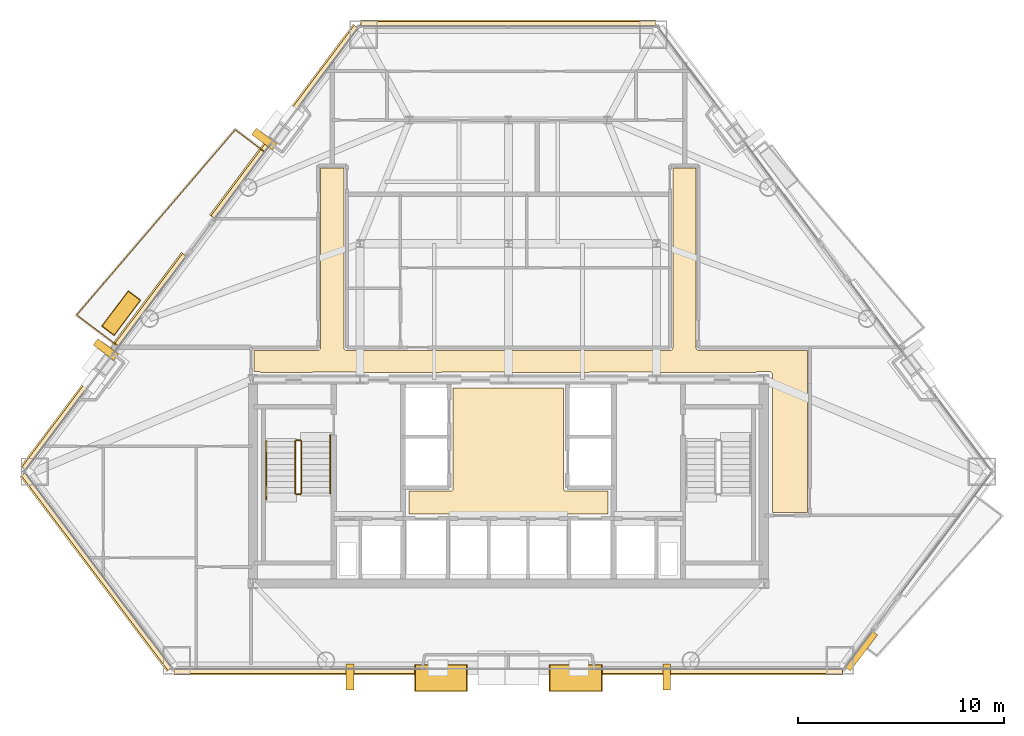
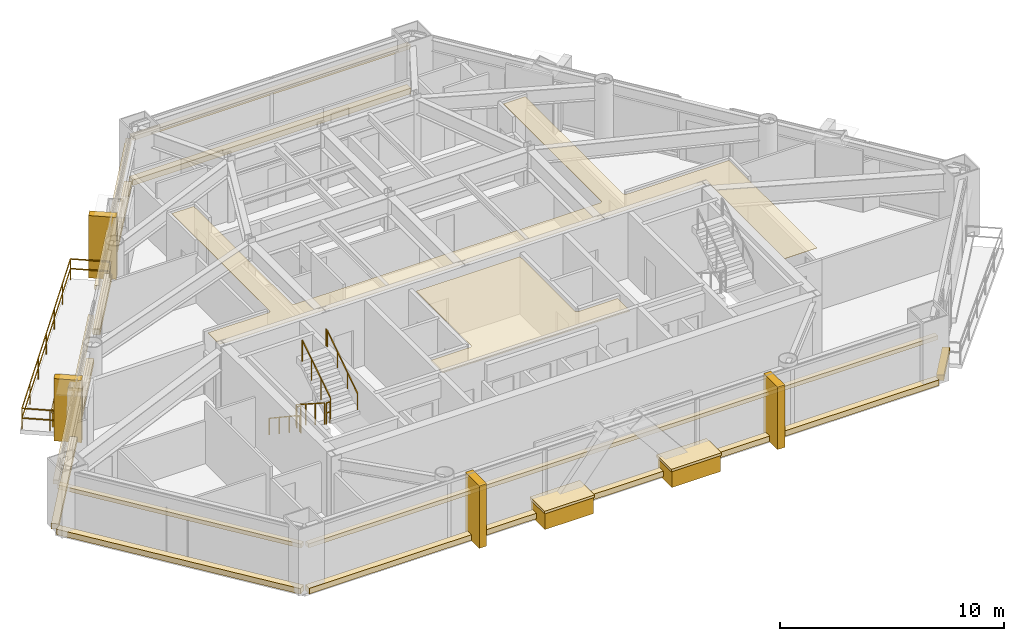
# One storey, part 10 of 11: 23 coverings, 7 railings.
"""IFC4 building model written with IfcOpenShell, lengths in metres."""

from ifc_helpers import new_model, si_unit, direction, frame, origin, origin_2d, place, context, subcontext, project, spatial, polyline, rectangle, outline, extrude, material, layer, layer_set, type_object, element, save


model = new_model("IFC4")

# Units and contexts
model_context = context("Model", 3, precision=1e-05, world=origin(), true_north=direction((0.0, 1.0)))
body_context = subcontext(model_context, "Body", "Model", "MODEL_VIEW")
ifc_project = project(units=[si_unit("LENGTHUNIT", "METRE"), si_unit("AREAUNIT", "SQUARE_METRE"), si_unit("VOLUMEUNIT", "CUBIC_METRE"), si_unit("PLANEANGLEUNIT", "RADIAN"), si_unit("MASSUNIT", "GRAM", prefix="KILO")], contexts=[model_context])

# Site, building, storey
site_placement = place(None, origin())
site = spatial("IfcSite", under=ifc_project, at=site_placement, CompositionType="ELEMENT")
building_placement = place(site_placement, origin())
building = spatial("IfcBuilding", under=site, at=building_placement, Name="Talgorran Terracotta Tower", CompositionType="ELEMENT")
storey_placement = place(building_placement, frame((0.0, 0.0, 72.0)))
storey = spatial("IfcBuildingStorey", under=building, at=storey_placement, Name="L18", CompositionType="ELEMENT", Elevation=72.0)

# Coverings
ifc_material_1 = material(Name="Kiln-Fired Terracotta Ochre Ceramic", Category="masonry")
ifc_layer_1 = layer(ifc_material_1, 0.179931640625, Name="COV_BAGUETTE_TERRACOTTA_SCREEN")
ifc_layer_set_1 = layer_set([ifc_layer_1], Name="Kiln-Fired Terracotta Ochre Ceramic")
covering_type_1 = type_object("IfcCoveringType", Name="COV_BAGUETTE_TERRACOTTA_SCREEN", PredefinedType="CLADDING", material=ifc_layer_set_1)
covering_1_placement = place(storey_placement, frame((-19.98388671875, -13.52001953125, 2.41015625), z_axis=(0.0, 0.0, 1.0), x_axis=(0.601243377531, -0.799065955334, 0.0)))
element("IfcCovering", 1, at=covering_1_placement, inside=storey, type_object=covering_type_1, Name="L18 Terracotta Baguette Solar Screen Assembly F0", PredefinedType="CLADDING", context=body_context, shape_type="SweptSolid", body=[
    extrude(rectangle(XDim=11.84130859375, YDim=0.260009765625, at=origin_2d()), origin(), (0.0, 0.0, 1.0), 0.219970703125),
])
covering_2_placement = place(storey_placement, frame((0.0, -18.3466796875, 2.41015625), z_axis=(0.0, 0.0, 1.0), x_axis=(1.0, 0.0, 0.0)))
element("IfcCovering", 2, at=covering_2_placement, inside=storey, type_object=covering_type_1, Name="L18 Terracotta Baguette Solar Screen Assembly F1", PredefinedType="CLADDING", context=body_context, shape_type="SweptSolid", body=[
    extrude(rectangle(XDim=32.464111328125, YDim=0.260009765625, at=origin_2d()), origin(), (0.0, 0.0, 1.0), 0.219970703125),
])
covering_3_placement = place(storey_placement, frame((0.0, 13.052734375, 2.41015625), z_axis=(0.0, 0.0, 1.0), x_axis=(-1.0, 0.0, 0.0)))
element("IfcCovering", 3, at=covering_3_placement, inside=storey, type_object=covering_type_1, Name="L18 Terracotta Baguette Solar Screen Assembly F4", PredefinedType="CLADDING", context=body_context, shape_type="SweptSolid", body=[
    extrude(rectangle(XDim=14.328125, YDim=0.260009765625, at=origin_2d()), origin(), (0.0, 0.0, 1.0), 0.219970703125),
])
covering_4_placement = place(storey_placement, frame((-10.85791015625, 8.302734375, 2.41015625), z_axis=(0.0, 0.0, 1.0), x_axis=(-0.601243377531, -0.799065955334, 0.0)))
element("IfcCovering", 4, at=covering_4_placement, inside=storey, type_object=covering_type_1, Name="L18 Terracotta Baguette Solar Screen Assembly F60", PredefinedType="CLADDING", context=body_context, shape_type="SweptSolid", body=[
    extrude(rectangle(XDim=11.56884765625, YDim=0.260009765625, at=origin_2d()), origin(), (0.0, 0.0, 1.0), 0.219970703125),
])
covering_5_placement = place(storey_placement, frame((-19.619140625, -3.341064453125, 2.41015625), z_axis=(0.0, 0.0, 1.0), x_axis=(-0.601243377531, -0.799065955334, 0.0)))
element("IfcCovering", 5, at=covering_5_placement, inside=storey, type_object=covering_type_1, Name="L18 Terracotta Baguette Solar Screen Assembly F61", PredefinedType="CLADDING", context=body_context, shape_type="SweptSolid", body=[
    extrude(rectangle(XDim=12.974609375, YDim=0.260009765625, at=origin_2d()), origin(), (0.0, 0.0, 1.0), 0.219970703125),
])
ifc_material_2 = material(Name="Mineral Fibre Acoustic Tile")
ifc_layer_2 = layer(ifc_material_2, 0.02490234375, Name="COV_CEIL_ACOUSTIC")
ifc_layer_set_2 = layer_set([ifc_layer_2], Name="Mineral Fibre Acoustic Tile")
covering_type_2 = type_object("IfcCoveringType", Name="COV_CEIL_ACOUSTIC", PredefinedType="CEILING", material=ifc_layer_set_2)
covering_6_placement = place(storey_placement, frame((0.0, 0.0, 3.260009765625)))
element("IfcCovering", 6, at=covering_6_placement, inside=storey, type_object=covering_type_2, Name="CEIL-L18-2", PredefinedType="CEILING", context=body_context, shape_type="SweptSolid", body=[
    extrude(outline(polyline([(-12.034423828125, -3.844970703125), (-12.03515625, -3.843994140625), (-12.0439453125, -3.836181640625), (-12.05322265625, -3.8291015625), (-12.0634765625, -3.8232421875), (-12.07421875, -3.818115234375), (-12.085205078125, -3.814208984375), (-12.0966796875, -3.811279296875), (-12.108154296875, -3.8095703125), (-12.1201171875, -3.80908203125), (-12.364990234375, -3.80908203125), (-12.364990234375, -2.784912109375), (-9.25, -2.784912109375), (-9.23828125, -2.784423828125), (-9.226806640625, -2.78271484375), (-9.21533203125, -2.77978515625), (-9.20703125, -2.77734375), (-9.196044921875, -2.7734375), (-9.185302734375, -2.768310546875), (-9.17529296875, -2.762451171875), (-9.165771484375, -2.75537109375), (-9.156982421875, -2.74755859375), (-9.149169921875, -2.73876953125), (-9.1435546875, -2.73193359375), (-9.136474609375, -2.722412109375), (-9.13037109375, -2.71240234375), (-9.125244140625, -2.70166015625), (-9.121337890625, -2.690673828125), (-9.118408203125, -2.67919921875), (-9.11669921875, -2.66748046875), (-9.1162109375, -2.65576171875), (-9.114990234375, 6.06494140625), (-7.985107421875, 6.06494140625), (-7.985107421875, -2.64990234375), (-7.984375, -2.66162109375), (-7.982666015625, -2.67333984375), (-7.97998046875, -2.6845703125), (-7.977294921875, -2.69287109375), (-7.973388671875, -2.7041015625), (-7.968505859375, -2.714599609375), (-7.96240234375, -2.724853515625), (-7.955322265625, -2.734375), (-7.947509765625, -2.742919921875), (-7.938720703125, -2.7509765625), (-7.931884765625, -2.756591796875), (-7.922607421875, -2.763671875), (-7.912353515625, -2.769775390625), (-7.901611328125, -2.774658203125), (-7.890625, -2.77880859375), (-7.879150390625, -2.781494140625), (-7.867431640625, -2.783203125), (-7.855712890625, -2.783935546875), (7.85009765625, -2.784912109375), (7.86181640625, -2.784423828125), (7.873291015625, -2.78271484375), (7.884521484375, -2.77978515625), (7.892822265625, -2.77734375), (7.904052734375, -2.7734375), (7.914794921875, -2.768310546875), (7.9248046875, -2.762451171875), (7.934326171875, -2.75537109375), (7.943115234375, -2.74755859375), (7.950927734375, -2.73876953125), (7.95654296875, -2.73193359375), (7.963623046875, -2.722412109375), (7.9697265625, -2.71240234375), (7.974609375, -2.70166015625), (7.978759765625, -2.690673828125), (7.981689453125, -2.67919921875), (7.9833984375, -2.66748046875), (7.98388671875, -2.65576171875), (7.985107421875, 6.06494140625), (9.114990234375, 6.06494140625), (9.114990234375, -2.64990234375), (9.115478515625, -2.66162109375), (9.1171875, -2.67333984375), (9.1201171875, -2.6845703125), (9.12255859375, -2.69287109375), (9.12646484375, -2.7041015625), (9.131591796875, -2.714599609375), (9.1376953125, -2.724853515625), (9.14453125, -2.734375), (9.152587890625, -2.742919921875), (9.1611328125, -2.7509765625), (9.16796875, -2.756591796875), (9.177490234375, -2.763671875), (9.1875, -2.769775390625), (9.1982421875, -2.774658203125), (9.20947265625, -2.77880859375), (9.220703125, -2.781494140625), (9.232421875, -2.783203125), (9.244384765625, -2.783935546875), (14.514892578125, -2.784912109375), (14.514892578125, -10.6650390625), (12.8349609375, -10.6650390625), (12.834716796875, -3.97705078125), (12.833984375, -3.96533203125), (12.83251953125, -3.953857421875), (12.82958984375, -3.9423828125), (12.82568359375, -3.931396484375), (12.820556640625, -3.920654296875), (12.81640625, -3.9130859375), (12.810302734375, -3.90283203125), (12.803466796875, -3.893310546875), (12.79541015625, -3.884521484375), (12.78857421875, -3.87841796875), (12.785888671875, -3.872314453125), (12.77978515625, -3.8623046875), (12.772705078125, -3.852783203125), (12.764892578125, -3.843994140625), (12.756103515625, -3.836181640625), (12.74658203125, -3.8291015625), (12.736572265625, -3.8232421875), (12.725830078125, -3.818115234375), (12.71484375, -3.814208984375), (12.703369140625, -3.811279296875), (12.69189453125, -3.8095703125), (12.679931640625, -3.80908203125), (12.1201171875, -3.80908203125), (12.108154296875, -3.8095703125), (12.0966796875, -3.811279296875), (12.085205078125, -3.814208984375), (12.07421875, -3.818115234375), (12.0634765625, -3.8232421875), (12.05322265625, -3.8291015625), (12.0439453125, -3.836181640625), (12.03515625, -3.843994140625), (12.034423828125, -3.844970703125), (7.432861328125, -3.844970703125), (6.968017578125, -3.843017578125), (6.967529296875, -3.843017578125), (0.232666015625, -3.844970703125), (-0.23193359375, -3.843017578125), (-0.232421875, -3.843017578125), (-6.96728515625, -3.844970703125), (-7.431884765625, -3.843017578125), (-7.4326171875, -3.843017578125), (-12.034423828125, -3.844970703125)])), origin(), (0.0, 0.0, 1.0), 0.02001953125),
])
ifc_material_3 = material(Name="Flush Moisture-Resistant Plaster")
ifc_layer_3 = layer(ifc_material_3, 0.01806640625, Name="COV_CEIL_PLASTER")
ifc_layer_set_3 = layer_set([ifc_layer_3], Name="Flush Moisture-Resistant Plaster")
covering_type_3 = type_object("IfcCoveringType", Name="COV_CEIL_PLASTER", PredefinedType="CEILING", material=ifc_layer_set_3)
covering_7_placement = place(storey_placement, frame((0.0, 0.0, 3.260009765625)))
element("IfcCovering", 7, at=covering_7_placement, inside=storey, type_object=covering_type_3, Name="CEIL-L18-1", PredefinedType="CEILING", context=body_context, shape_type="SweptSolid", body=[
    extrude(outline(polyline([(-4.830078125, -9.6201171875), (-2.800048828125, -9.6201171875), (-2.7880859375, -9.619384765625), (-2.776611328125, -9.61767578125), (-2.76513671875, -9.61474609375), (-2.754150390625, -9.61083984375), (-2.743408203125, -9.605712890625), (-2.7333984375, -9.599853515625), (-2.723876953125, -9.5927734375), (-2.715087890625, -9.5849609375), (-2.707275390625, -9.576171875), (-2.7001953125, -9.566650390625), (-2.694091796875, -9.556640625), (-2.689208984375, -9.5458984375), (-2.685302734375, -9.534912109375), (-2.682373046875, -9.5234375), (-2.6806640625, -9.51171875), (-2.679931640625, -9.5), (-2.679931640625, -4.6201171875), (2.679931640625, -4.6201171875), (2.679931640625, -9.5), (2.6806640625, -9.51171875), (2.682373046875, -9.5234375), (2.685302734375, -9.534912109375), (2.689208984375, -9.5458984375), (2.694091796875, -9.556640625), (2.7001953125, -9.566650390625), (2.707275390625, -9.576171875), (2.715087890625, -9.5849609375), (2.723876953125, -9.5927734375), (2.7333984375, -9.599853515625), (2.743408203125, -9.605712890625), (2.754150390625, -9.61083984375), (2.76513671875, -9.61474609375), (2.776611328125, -9.61767578125), (2.7880859375, -9.619384765625), (2.800048828125, -9.6201171875), (4.830078125, -9.6201171875), (4.830078125, -10.72998046875), (-4.830078125, -10.72998046875), (-4.830078125, -9.6201171875)])), origin(), (0.0, 0.0, 1.0), 0.02001953125),
])
ifc_material_4 = material(Name="Honed Limestone and Terracotta Planter", Category="masonry")
ifc_layer_4 = layer(ifc_material_4, 0.1201171875, Name="COV_PLANTER_BOX")
ifc_layer_set_4 = layer_set([ifc_layer_4], Name="Honed Limestone and Terracotta Planter")
covering_type_4 = type_object("IfcCoveringType", Name="COV_PLANTER_BOX", PredefinedType="CLADDING", material=ifc_layer_set_4)
for number, where, z_axis, x_axis, name in (
    (8, (-3.2724609375, -18.686767578125, -0.179931640625), (0.0, 0.0, 1.0), (1.0, 0.0, 0.0), "L18 Staggered South Facade Planter Box 1"),
    (9, (3.2724609375, -18.686767578125, -0.179931640625), (0.0, 0.0, 1.0), (1.0, 0.0, 0.0), "L18 Staggered South Facade Planter Box 2"),
):
    element("IfcCovering", number, at=place(storey_placement, frame(where, z_axis=z_axis, x_axis=x_axis)), inside=storey, type_object=covering_type_4, Name=name, PredefinedType="CLADDING", context=body_context, shape_type="SweptSolid", body=[
        extrude(rectangle(XDim=2.5, YDim=1.25, at=origin_2d()), origin(), (0.0, 0.0, 1.0), 0.919921875),
    ])
covering_8_placement = place(storey_placement, frame((-18.80224609375, -0.974609375, -0.02001953125), z_axis=(0.0, 0.0, 1.0), x_axis=(-0.601243377531, -0.799065955334, 0.0)))
element("IfcCovering", 10, at=covering_8_placement, inside=storey, type_object=covering_type_4, Name="L18 Staggered Balcony Planter Box BAL-NW", PredefinedType="CLADDING", context=body_context, shape_type="SweptSolid", body=[
    extrude(rectangle(XDim=2.10009765625, YDim=0.719970703125, at=origin_2d()), origin(), (0.0, 0.0, 1.0), 0.860107421875),
])
ifc_material_5 = material(Name="Kiln-Fired Terracotta Planter Rim", Category="masonry")
ifc_layer_5 = layer(ifc_material_5, 0.10009765625, Name="COV_PLANTER_RIM")
ifc_layer_set_5 = layer_set([ifc_layer_5], Name="Kiln-Fired Terracotta Planter Rim")
covering_type_5 = type_object("IfcCoveringType", Name="COV_PLANTER_RIM", PredefinedType="CLADDING", material=ifc_layer_set_5)
for number, where, z_axis, x_axis, name in (
    (11, (-3.2724609375, -18.686767578125, 0.7099609375), (0.0, 0.0, 1.0), (1.0, 0.0, 0.0), "L18 South Planter Terracotta Rim 1"),
    (12, (3.2724609375, -18.686767578125, 0.7099609375), (0.0, 0.0, 1.0), (1.0, 0.0, 0.0), "L18 South Planter Terracotta Rim 2"),
):
    element("IfcCovering", number, at=place(storey_placement, frame(where, z_axis=z_axis, x_axis=x_axis)), inside=storey, type_object=covering_type_5, Name=name, PredefinedType="CLADDING", context=body_context, shape_type="SweptSolid", body=[
        extrude(rectangle(XDim=2.580078125, YDim=1.320068359375, at=origin_2d()), origin(), (0.0, 0.0, 1.0), 0.139892578125),
    ])
covering_9_placement = place(storey_placement, frame((-18.80224609375, -0.974609375, 0.800048828125), z_axis=(0.0, 0.0, 1.0), x_axis=(-0.601243377531, -0.799065955334, 0.0)))
element("IfcCovering", 13, at=covering_9_placement, inside=storey, type_object=covering_type_5, Name="L18 Balcony Planter Terracotta Rim BAL-NW", PredefinedType="CLADDING", context=body_context, shape_type="SweptSolid", body=[
    extrude(rectangle(XDim=2.179931640625, YDim=0.780029296875, at=origin_2d()), origin(), (0.0, 0.0, 1.0), 0.1201171875),
])
ifc_material_6 = material(Name="Honed Limestone Cladding", Category="masonry")
ifc_layer_6 = layer(ifc_material_6, 0.094970703125, Name="COV_PORTAL_LIME")
ifc_layer_set_6 = layer_set([ifc_layer_6], Name="Honed Limestone Cladding")
covering_type_6 = type_object("IfcCoveringType", Name="COV_PORTAL_LIME", PredefinedType="CLADDING", material=ifc_layer_set_6)
covering_10_placement = place(storey_placement, frame((-20.015869140625, -13.5439453125, -0.0400390625), z_axis=(0.0, 0.0, 1.0), x_axis=(0.601243377531, -0.799065955334, 0.0)))
element("IfcCovering", 14, at=covering_10_placement, inside=storey, type_object=covering_type_6, Name="L18 Striped Postmodern Portal Cladding Band F0", PredefinedType="CLADDING", context=body_context, shape_type="SweptSolid", body=[
    extrude(rectangle(XDim=11.861328125, YDim=0.340087890625, at=origin_2d()), origin(), (0.0, 0.0, 1.0), 0.300048828125),
])
covering_11_placement = place(storey_placement, frame((0.0, -18.38671875, -0.0400390625), z_axis=(0.0, 0.0, 1.0), x_axis=(1.0, 0.0, 0.0)))
element("IfcCovering", 15, at=covering_11_placement, inside=storey, type_object=covering_type_6, Name="L18 Striped Postmodern Portal Cladding Band F1", PredefinedType="CLADDING", context=body_context, shape_type="SweptSolid", body=[
    extrude(rectangle(XDim=32.484130859375, YDim=0.340087890625, at=origin_2d()), origin(), (0.0, 0.0, 1.0), 0.300048828125),
])
covering_12_placement = place(storey_placement, frame((17.133544921875, -17.37451171875, -0.0400390625), z_axis=(0.0, 0.0, 1.0), x_axis=(0.601257323772, 0.799055461536, 0.0)))
element("IfcCovering", 16, at=covering_12_placement, inside=storey, type_object=covering_type_6, Name="L18 Striped Postmodern Portal Cladding Band F30", PredefinedType="CLADDING", context=body_context, shape_type="SweptSolid", body=[
    extrude(rectangle(XDim=2.193603515625, YDim=0.340087890625, at=origin_2d()), origin(), (0.0, 0.0, 1.0), 0.300048828125),
])
covering_13_placement = place(storey_placement, frame((0.0, 13.0927734375, -0.0400390625), z_axis=(0.0, 0.0, 1.0), x_axis=(-1.0, 0.0, 0.0)))
element("IfcCovering", 17, at=covering_13_placement, inside=storey, type_object=covering_type_6, Name="L18 Striped Postmodern Portal Cladding Band F4", PredefinedType="CLADDING", context=body_context, shape_type="SweptSolid", body=[
    extrude(rectangle(XDim=14.34814453125, YDim=0.340087890625, at=origin_2d()), origin(), (0.0, 0.0, 1.0), 0.300048828125),
])
covering_14_placement = place(storey_placement, frame((-10.889892578125, 8.326904296875, -0.0400390625), z_axis=(0.0, 0.0, 1.0), x_axis=(-0.601243377531, -0.799065955334, 0.0)))
element("IfcCovering", 18, at=covering_14_placement, inside=storey, type_object=covering_type_6, Name="L18 Striped Postmodern Portal Cladding Band F60", PredefinedType="CLADDING", context=body_context, shape_type="SweptSolid", body=[
    extrude(rectangle(XDim=11.5888671875, YDim=0.340087890625, at=origin_2d()), origin(), (0.0, 0.0, 1.0), 0.300048828125),
])
covering_15_placement = place(storey_placement, frame((-19.651123046875, -3.31689453125, -0.0400390625), z_axis=(0.0, 0.0, 1.0), x_axis=(-0.601243377531, -0.799065955334, 0.0)))
element("IfcCovering", 19, at=covering_15_placement, inside=storey, type_object=covering_type_6, Name="L18 Striped Postmodern Portal Cladding Band F61", PredefinedType="CLADDING", context=body_context, shape_type="SweptSolid", body=[
    extrude(rectangle(XDim=12.99462890625, YDim=0.340087890625, at=origin_2d()), origin(), (0.0, 0.0, 1.0), 0.300048828125),
])
for number, where, z_axis, x_axis, name in (
    (20, (7.690185546875, -18.646728515625, -0.050048828125), (0.0, 0.0, 1.0), (1.0, 0.0, 0.0), "L18 White Striped Portal Fin F1-2"),
    (21, (-19.543701171875, -2.741943359375, -0.050048828125), (0.0, 0.0, 1.0), (-0.601243377531, -0.799065955334, 0.0), "L18 White Striped Portal Fin F5-2"),
):
    element("IfcCovering", number, at=place(storey_placement, frame(where, z_axis=z_axis, x_axis=x_axis)), inside=storey, type_object=covering_type_6, Name=name, PredefinedType="CLADDING", context=body_context, shape_type="SweptSolid", body=[
        extrude(rectangle(XDim=0.3798828125, YDim=1.25, at=origin_2d()), origin(), (0.0, 0.0, 1.0), 3.39990234375),
    ])
ifc_material_7 = material(Name="Kiln-Fired Terracotta Cladding", Category="masonry")
ifc_layer_7 = layer(ifc_material_7, 0.090087890625, Name="COV_PORTAL_TERRA")
ifc_layer_set_7 = layer_set([ifc_layer_7], Name="Kiln-Fired Terracotta Cladding")
covering_type_7 = type_object("IfcCoveringType", Name="COV_PORTAL_TERRA", PredefinedType="CLADDING", material=ifc_layer_set_7)
for number, where, z_axis, x_axis, name in (
    (22, (-7.690185546875, -18.646728515625, -0.050048828125), (0.0, 0.0, 1.0), (1.0, 0.0, 0.0), "L18 Terracotta Striped Portal Fin F1-1"),
    (23, (-11.853759765625, 7.478515625, -0.050048828125), (0.0, 0.0, 1.0), (-0.601243377531, -0.799065955334, 0.0), "L18 Terracotta Striped Portal Fin F5-1"),
):
    element("IfcCovering", number, at=place(storey_placement, frame(where, z_axis=z_axis, x_axis=x_axis)), inside=storey, type_object=covering_type_7, Name=name, PredefinedType="CLADDING", context=body_context, shape_type="SweptSolid", body=[
        extrude(rectangle(XDim=0.3798828125, YDim=1.25, at=origin_2d()), origin(), (0.0, 0.0, 1.0), 3.39990234375),
    ])

# Railings
ifc_material_8 = material(Name="Laminated Glass and Stainless Steel 316", Category="steel")
railing_type_1 = type_object("IfcRailingType", Name="RL_BALCONY_1150", PredefinedType="BALUSTRADE", material=ifc_material_8)
railing_1_placement = place(storey_placement, frame((-11.843505859375, 6.860107421875, 0.0)))
element("IfcRailing", 24, at=railing_1_placement, inside=storey, type_object=railing_type_1, Name="RL-L18-BAL-BAL-NW", PredefinedType="BALUSTRADE", context=body_context, shape_type="SweptSolid", body=[
    extrude(rectangle(XDim=0.048095703125, YDim=0.048095703125, at=origin_2d()), frame((0.0, 0.0, 1.1259765625), z_axis=(-0.799127230555, 0.601161932748, 0.0), x_axis=(-0.601161932748, -0.799127230555, 0.0)), (0.0, 0.0, 1.0), 1.78076171875),
    extrude(rectangle(XDim=0.048095703125, YDim=0.048095703125, at=origin_2d()), frame((0.0, 0.0, 0.597900390625), z_axis=(-0.799127230555, 0.601161932748, 0.0), x_axis=(-0.601161932748, -0.799127230555, 0.0)), (0.0, 0.0, 1.0), 1.78076171875),
    extrude(rectangle(XDim=0.048095703125, YDim=0.048095703125, at=origin_2d()), frame((-1.423095703125, 1.070556640625, 1.1259765625), z_axis=(-0.650045396855, -0.759895375712, 0.0), x_axis=(0.759895375712, -0.650045396855, 0.0)), (0.0, 0.0, 1.0), 11.8369140625),
    extrude(rectangle(XDim=0.048095703125, YDim=0.048095703125, at=origin_2d()), frame((-1.423095703125, 1.070556640625, 0.597900390625), z_axis=(-0.650045396855, -0.759895375712, 0.0), x_axis=(0.759895375712, -0.650045396855, 0.0)), (0.0, 0.0, 1.0), 11.8369140625),
    extrude(rectangle(XDim=0.048095703125, YDim=0.048095703125, at=origin_2d()), frame((-9.11767578125, -7.92431640625, 1.1259765625), z_axis=(0.799069438926, -0.601238747733, 0.0), x_axis=(0.601238747733, 0.799069438926, 0.0)), (0.0, 0.0, 1.0), 2.521240234375),
    extrude(rectangle(XDim=0.048095703125, YDim=0.048095703125, at=origin_2d()), frame((-9.11767578125, -7.92431640625, 0.597900390625), z_axis=(0.799069438926, -0.601238747733, 0.0), x_axis=(0.601238747733, 0.799069438926, 0.0)), (0.0, 0.0, 1.0), 2.521240234375),
    extrude(rectangle(XDim=0.0419921875, YDim=0.0419921875, at=origin_2d()), origin(), (0.0, 0.0, 1.0), 1.101806640625),
    extrude(rectangle(XDim=0.0419921875, YDim=0.0419921875, at=origin_2d()), frame((-1.423095703125, 1.070556640625, 0.0)), (0.0, 0.0, 1.0), 1.101806640625),
    extrude(rectangle(XDim=0.0419921875, YDim=0.0419921875, at=origin_2d()), frame((-2.70556640625, -0.4287109375, 0.0)), (0.0, 0.0, 1.0), 1.101806640625),
    extrude(rectangle(XDim=0.0419921875, YDim=0.0419921875, at=origin_2d()), frame((-3.988037109375, -1.927734375, 0.0)), (0.0, 0.0, 1.0), 1.101806640625),
    extrude(rectangle(XDim=0.0419921875, YDim=0.0419921875, at=origin_2d()), frame((-5.2705078125, -3.4267578125, 0.0)), (0.0, 0.0, 1.0), 1.101806640625),
    extrude(rectangle(XDim=0.0419921875, YDim=0.0419921875, at=origin_2d()), frame((-6.552734375, -4.926025390625, 0.0)), (0.0, 0.0, 1.0), 1.101806640625),
    extrude(rectangle(XDim=0.0419921875, YDim=0.0419921875, at=origin_2d()), frame((-7.835205078125, -6.42529296875, 0.0)), (0.0, 0.0, 1.0), 1.101806640625),
    extrude(rectangle(XDim=0.0419921875, YDim=0.0419921875, at=origin_2d()), frame((-9.11767578125, -7.92431640625, 0.0)), (0.0, 0.0, 1.0), 1.101806640625),
    extrude(rectangle(XDim=0.0419921875, YDim=0.0419921875, at=origin_2d()), frame((-8.1103515625, -8.68212890625, 0.0)), (0.0, 0.0, 1.0), 1.101806640625),
    extrude(rectangle(XDim=0.0419921875, YDim=0.0419921875, at=origin_2d()), frame((-7.10302734375, -9.440185546875, 0.0)), (0.0, 0.0, 1.0), 1.101806640625),
])
ifc_material_9 = material(Name="Steel S355 (300PLUS)", Category="steel")
railing_type_2 = type_object("IfcRailingType", Name="RL_HANDRAIL_920", PredefinedType="HANDRAIL", material=ifc_material_9)
railing_2_placement = place(storey_placement, frame((-11.75, -7.199951171875, 0.179931640625)))
element("IfcRailing", 25, at=railing_2_placement, inside=storey, type_object=railing_type_2, Name="L18 ST-01 stair handrail 1", PredefinedType="HANDRAIL", context=body_context, shape_type="SweptSolid", body=[
    extrude(rectangle(XDim=0.048095703125, YDim=0.048095703125, at=origin_2d()), frame((0.0, 0.0, 0.89599609375), z_axis=(0.0, -0.832038719335, 0.554717558338), x_axis=(1.0, 0.0, 0.0)), (0.0, 0.0, 1.0), 3.244873046875),
    extrude(rectangle(XDim=0.048095703125, YDim=0.048095703125, at=origin_2d()), frame((0.0, -2.699951171875, 2.69580078125), z_axis=(0.0, -1.0, 0.0), x_axis=(1.0, 0.0, 0.0)), (0.0, 0.0, 1.0), 0.1201171875),
    extrude(rectangle(XDim=0.0419921875, YDim=0.0419921875, at=origin_2d()), origin(), (0.0, 0.0, 1.0), 0.871826171875),
    extrude(rectangle(XDim=0.0419921875, YDim=0.0419921875, at=origin_2d()), frame((0.0, -0.89990234375, 0.60009765625)), (0.0, 0.0, 1.0), 0.871826171875),
    extrude(rectangle(XDim=0.0419921875, YDim=0.0419921875, at=origin_2d()), frame((0.0, -1.800048828125, 1.199951171875)), (0.0, 0.0, 1.0), 0.871826171875),
    extrude(rectangle(XDim=0.0419921875, YDim=0.0419921875, at=origin_2d()), frame((0.0, -2.699951171875, 1.800048828125)), (0.0, 0.0, 1.0), 0.871826171875),
    extrude(rectangle(XDim=0.0419921875, YDim=0.0419921875, at=origin_2d()), frame((0.0, -2.820068359375, 1.800048828125)), (0.0, 0.0, 1.0), 0.871826171875),
])
railing_3_placement = place(storey_placement, frame((-8.64990234375, -9.719970703125, 1.97998046875)))
element("IfcRailing", 26, at=railing_3_placement, inside=storey, type_object=railing_type_2, Name="L18 ST-01 stair handrail 2", PredefinedType="HANDRAIL", context=body_context, shape_type="SweptSolid", body=[
    extrude(rectangle(XDim=0.048095703125, YDim=0.048095703125, at=origin_2d()), frame((0.0, 0.0, 0.89599609375), z_axis=(0.0, 0.832038719335, 0.554717558338), x_axis=(-1.0, 0.0, 0.0)), (0.0, 0.0, 1.0), 3.244873046875),
    extrude(rectangle(XDim=0.048095703125, YDim=0.048095703125, at=origin_2d()), frame((0.0, 2.699951171875, 2.69580078125), z_axis=(0.0, 1.0, 0.0), x_axis=(-1.0, 0.0, 0.0)), (0.0, 0.0, 1.0), 0.1201171875),
    extrude(rectangle(XDim=0.0419921875, YDim=0.0419921875, at=origin_2d()), origin(), (0.0, 0.0, 1.0), 0.871826171875),
    extrude(rectangle(XDim=0.0419921875, YDim=0.0419921875, at=origin_2d()), frame((0.0, 0.89990234375, 0.60009765625)), (0.0, 0.0, 1.0), 0.871826171875),
    extrude(rectangle(XDim=0.0419921875, YDim=0.0419921875, at=origin_2d()), frame((0.0, 1.800048828125, 1.199951171875)), (0.0, 0.0, 1.0), 0.871826171875),
    extrude(rectangle(XDim=0.0419921875, YDim=0.0419921875, at=origin_2d()), frame((0.0, 2.699951171875, 1.800048828125)), (0.0, 0.0, 1.0), 0.871826171875),
    extrude(rectangle(XDim=0.0419921875, YDim=0.0419921875, at=origin_2d()), frame((0.0, 2.820068359375, 1.800048828125)), (0.0, 0.0, 1.0), 0.871826171875),
])
railing_type_3 = type_object("IfcRailingType", Name="RL_STAIR_GUARD", PredefinedType="GUARDRAIL", material=ifc_material_9)
railing_4_placement = place(storey_placement, frame((-10.35009765625, -7.199951171875, 0.179931640625)))
element("IfcRailing", 27, at=railing_4_placement, inside=storey, type_object=railing_type_3, Name="L18 ST-01 stair guard 1", PredefinedType="GUARDRAIL", context=body_context, shape_type="SweptSolid", body=[
    extrude(rectangle(XDim=0.048095703125, YDim=0.048095703125, at=origin_2d()), frame((0.0, 0.0, 1.15576171875), z_axis=(0.0, -0.841162588446, 0.540782303519), x_axis=(1.0, 0.0, 0.0)), (0.0, 0.0, 1.0), 2.995849609375),
    extrude(rectangle(XDim=0.0419921875, YDim=0.0419921875, at=origin_2d()), origin(), (0.0, 0.0, 1.0), 1.1318359375),
    extrude(rectangle(XDim=0.0419921875, YDim=0.0419921875, at=origin_2d()), frame((0.0, -0.840087890625, 0.5400390625)), (0.0, 0.0, 1.0), 1.1318359375),
    extrude(rectangle(XDim=0.0419921875, YDim=0.0419921875, at=origin_2d()), frame((0.0, -1.679931640625, 1.080078125)), (0.0, 0.0, 1.0), 1.1318359375),
    extrude(rectangle(XDim=0.0419921875, YDim=0.0419921875, at=origin_2d()), frame((0.0, -2.52001953125, 1.6201171875)), (0.0, 0.0, 1.0), 1.1318359375),
])
railing_5_placement = place(storey_placement, frame((-10.300048828125, -9.77001953125, 1.800048828125)))
element("IfcRailing", 28, at=railing_5_placement, inside=storey, type_object=railing_type_3, Name="L18 ST-01 stair guard 2", PredefinedType="GUARDRAIL", context=body_context, shape_type="SweptSolid", body=[
    extrude(rectangle(XDim=0.048095703125, YDim=0.048095703125, at=origin_2d()), frame((0.0, 0.0, 1.15576171875), z_axis=(1.0, 0.0, 0.0), x_axis=(0.0, 1.0, 0.0)), (0.0, 0.0, 1.0), 0.199951171875),
    extrude(rectangle(XDim=0.048095703125, YDim=0.048095703125, at=origin_2d()), frame((0.0, 0.0, 0.613525390625), z_axis=(1.0, 0.0, 0.0), x_axis=(0.0, 1.0, 0.0)), (0.0, 0.0, 1.0), 0.199951171875),
    extrude(rectangle(XDim=0.0419921875, YDim=0.0419921875, at=origin_2d()), origin(), (0.0, 0.0, 1.0), 1.1318359375),
    extrude(rectangle(XDim=0.0419921875, YDim=0.0419921875, at=origin_2d()), frame((0.199951171875, 0.0, 0.0)), (0.0, 0.0, 1.0), 1.1318359375),
])
railing_6_placement = place(storey_placement, frame((-10.050048828125, -9.719970703125, 1.97998046875)))
element("IfcRailing", 29, at=railing_6_placement, inside=storey, type_object=railing_type_3, Name="L18 ST-01 stair guard 3", PredefinedType="GUARDRAIL", context=body_context, shape_type="SweptSolid", body=[
    extrude(rectangle(XDim=0.048095703125, YDim=0.048095703125, at=origin_2d()), frame((0.0, 0.0, 1.15576171875), z_axis=(0.0, 0.841162588446, 0.540782303519), x_axis=(-1.0, 0.0, 0.0)), (0.0, 0.0, 1.0), 2.995849609375),
    extrude(rectangle(XDim=0.0419921875, YDim=0.0419921875, at=origin_2d()), origin(), (0.0, 0.0, 1.0), 1.1318359375),
    extrude(rectangle(XDim=0.0419921875, YDim=0.0419921875, at=origin_2d()), frame((0.0, 0.840087890625, 0.5400390625)), (0.0, 0.0, 1.0), 1.1318359375),
    extrude(rectangle(XDim=0.0419921875, YDim=0.0419921875, at=origin_2d()), frame((0.0, 1.679931640625, 1.080078125)), (0.0, 0.0, 1.0), 1.1318359375),
    extrude(rectangle(XDim=0.0419921875, YDim=0.0419921875, at=origin_2d()), frame((0.0, 2.52001953125, 1.6201171875)), (0.0, 0.0, 1.0), 1.1318359375),
])
railing_7_placement = place(storey_placement, frame((-10.300048828125, -7.14990234375, 0.0)))
element("IfcRailing", 30, at=railing_7_placement, inside=storey, type_object=railing_type_3, Name="L18 ST-01 stair guard 4", PredefinedType="GUARDRAIL", context=body_context, shape_type="SweptSolid", body=[
    extrude(rectangle(XDim=0.048095703125, YDim=0.048095703125, at=origin_2d()), frame((0.0, 0.0, 1.15576171875), z_axis=(1.0, 0.0, 0.0), x_axis=(0.0, 1.0, 0.0)), (0.0, 0.0, 1.0), 0.199951171875),
    extrude(rectangle(XDim=0.048095703125, YDim=0.048095703125, at=origin_2d()), frame((0.0, 0.0, 0.613525390625), z_axis=(1.0, 0.0, 0.0), x_axis=(0.0, 1.0, 0.0)), (0.0, 0.0, 1.0), 0.199951171875),
    extrude(rectangle(XDim=0.0419921875, YDim=0.0419921875, at=origin_2d()), origin(), (0.0, 0.0, 1.0), 1.1318359375),
    extrude(rectangle(XDim=0.0419921875, YDim=0.0419921875, at=origin_2d()), frame((0.199951171875, 0.0, 0.0)), (0.0, 0.0, 1.0), 1.1318359375),
])

save(model, "model.ifc")
